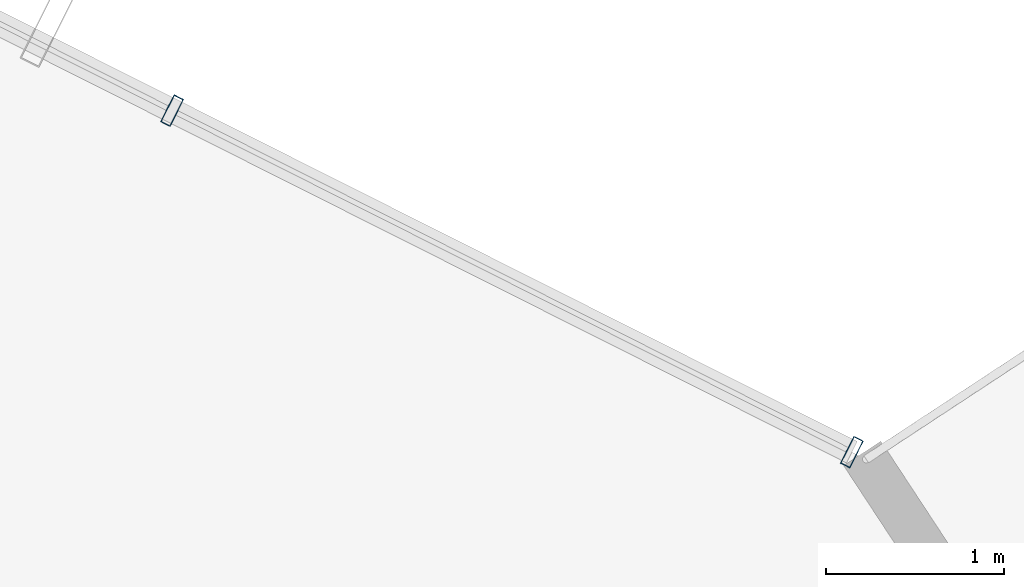
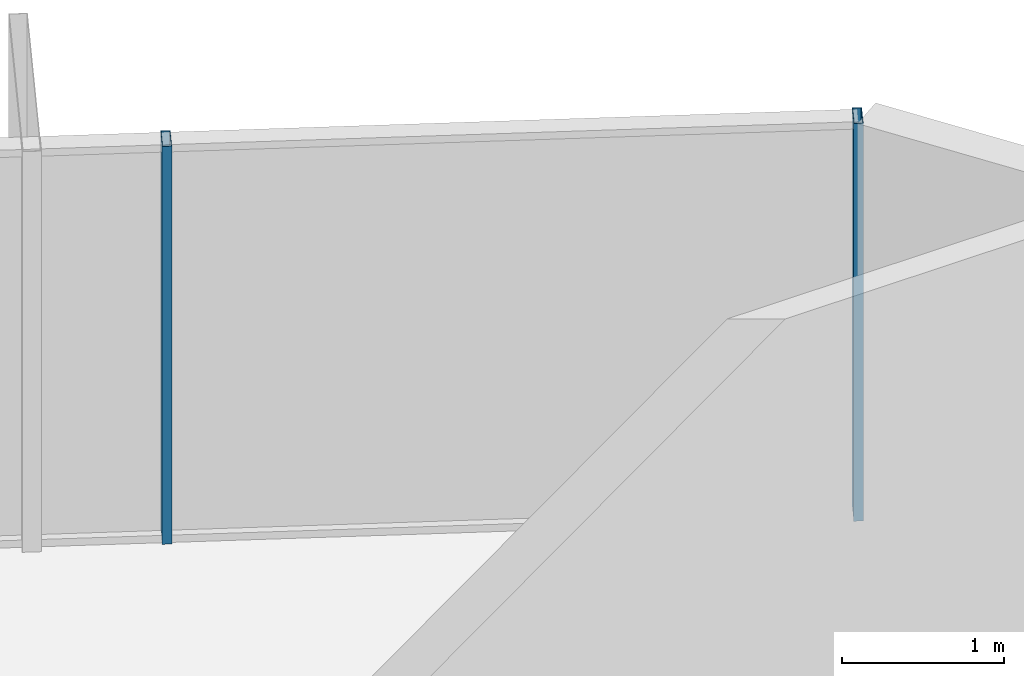
# One storey, part 26 of 33: 2 members, 1 element without a shape of its own.
"""IFC4 building model written with IfcOpenShell, lengths in metres."""

import ifcopenshell
import ifcopenshell.guid

model = None  # the IFC model being written
_history = None  # IfcOwnerHistory: only IFC2X3 demands one
_inside = {}  # id of a spatial element -> (the spatial element, [elements in it])
_under = {}  # id of a project, library or spatial element -> (it, [spatial elements below it])
_declared = {}  # id of a project -> (the project, [libraries it declares])
_typed = {}  # id of a type object -> (the type object, [elements of that type])
_made_of = {}  # id of a material, layer set ... -> (it, [elements and type objects made of it])


def new_model(schema):
    """Start an empty IFC model of exactly this schema.

    Asked for "IFC4X3", IfcOpenShell would pick the latest addendum, in which some entities
    have other attributes; the version numbers below select the first issue.
    IFC2X3 requires an IfcOwnerHistory on every rooted entity: one is made here for all.
    """
    global model, _history
    if schema == "IFC4X3":
        model = ifcopenshell.file(schema_version=(4, 3, 0, 0))
    else:
        model = ifcopenshell.file(schema=schema)
    _inside.clear()
    _under.clear()
    _declared.clear()
    _typed.clear()
    _made_of.clear()
    _history = None
    if model.schema == "IFC2X3":
        org = make("IfcOrganization", Name="unknown")
        user = make(
            "IfcPersonAndOrganization",
            ThePerson=make("IfcPerson", FamilyName="unknown"),
            TheOrganization=org,
        )
        app = make(
            "IfcApplication",
            ApplicationDeveloper=org,
            Version="unknown",
            ApplicationFullName="unknown",
            ApplicationIdentifier="unknown",
        )
        _history = make(
            "IfcOwnerHistory",
            OwningUser=user,
            OwningApplication=app,
            ChangeAction="ADDED",
            CreationDate=0,
        )
    return model


def make(cls, **values):
    """One entity of the class cls with the attributes given. An attribute that is None is left unset."""
    return model.create_entity(
        cls, **{name: value for name, value in values.items() if value is not None}
    )


def rooted(cls, **values):
    """An entity with a GlobalId (a new one), such as an element, a storey or a relation."""
    return make(cls, GlobalId=ifcopenshell.guid.new(), OwnerHistory=_history, **values)


def si_unit(unit_type, name, prefix=None):
    """IfcSIUnit, for example si_unit("LENGTHUNIT", "METRE", prefix="MILLI")."""
    return make("IfcSIUnit", UnitType=unit_type, Prefix=prefix, Name=name)


def assignment(units):
    """IfcUnitAssignment: the units of a project."""
    return None if units is None else make("IfcUnitAssignment", Units=units)


def point(xyz):
    """IfcCartesianPoint."""
    return None if xyz is None else make("IfcCartesianPoint", Coordinates=xyz)


def direction(xyz):
    """IfcDirection."""
    return None if xyz is None else make("IfcDirection", DirectionRatios=xyz)


def frame(location, z_axis=None, x_axis=None):
    """IfcAxis2Placement3D, a coordinate frame: its origin and axes. An axis left out is left unset."""
    return make(
        "IfcAxis2Placement3D",
        Location=point(location),
        Axis=direction(z_axis),
        RefDirection=direction(x_axis),
    )


def frame_2d(location, x_axis=None):
    """IfcAxis2Placement2D, a coordinate frame in the plane: its origin and x axis."""
    return make(
        "IfcAxis2Placement2D", Location=point(location), RefDirection=direction(x_axis)
    )


def origin():
    """The frame at (0, 0, 0) with its axes left unset."""
    return frame((0.0, 0.0, 0.0))


def origin_2d():
    """The frame at (0, 0) in the plane with its x axis left unset."""
    return frame_2d((0.0, 0.0))


def place(relative_to, where):
    """IfcLocalPlacement: puts the frame where relative to a parent placement (None: the world)."""
    return make(
        "IfcLocalPlacement", PlacementRelTo=relative_to, RelativePlacement=where
    )


def context(
    kind, dimensions, precision=None, world=None, true_north=None, identifier=None
):
    """IfcGeometricRepresentationContext, for example the 3D "Model" context."""
    return make(
        "IfcGeometricRepresentationContext",
        ContextIdentifier=identifier,
        ContextType=kind,
        CoordinateSpaceDimension=dimensions,
        Precision=precision,
        WorldCoordinateSystem=world,
        TrueNorth=true_north,
    )


def subcontext(parent, identifier, kind, view, scale=None):
    """IfcGeometricRepresentationSubContext, for example "Body" below "Model"."""
    return make(
        "IfcGeometricRepresentationSubContext",
        ContextIdentifier=identifier,
        ContextType=kind,
        ParentContext=parent,
        TargetScale=scale,
        TargetView=view,
    )


def project(units=None, contexts=None):
    """IfcProject with its units and contexts."""
    return rooted(
        "IfcProject",
        Name="project",
        RepresentationContexts=contexts,
        UnitsInContext=assignment(units),
    )


def spatial(cls, under=None, at=None, **own):
    """A site, building, storey or space (cls), placed at a placement, below another one or the project."""
    s = rooted(cls, ObjectPlacement=at, **own)
    if under is not None:
        _under.setdefault(under.id(), (under, []))[1].append(s)
    return s


def profile(cls, at=None, kind="AREA", **sizes):
    """A parametric profile (cls). Its sizes go by their IFC names, for example OverallWidth=200.0."""
    return make(cls, ProfileType=kind, Position=at, **sizes)


def hollow_rectangle(**sizes):
    """IfcRectangleHollowProfileDef."""
    return profile("IfcRectangleHollowProfileDef", **sizes)


def extrude(swept, where, along, depth):
    """IfcExtrudedAreaSolid: the profile swept, set in the frame where, extruded along a direction by depth."""
    return make(
        "IfcExtrudedAreaSolid",
        SweptArea=swept,
        Position=where,
        ExtrudedDirection=direction(along),
        Depth=depth,
    )


def shape(context_of_items, identifier, shape_type, items):
    """IfcShapeRepresentation: the items that make up one representation, for example the "Body"."""
    return make(
        "IfcShapeRepresentation",
        ContextOfItems=context_of_items,
        RepresentationIdentifier=identifier,
        RepresentationType=shape_type,
        Items=items,
    )


def source(mapping_origin, context_of_items, identifier, shape_type, items):
    """IfcRepresentationMap: a shape defined once, which mapped items show again and again."""
    return make(
        "IfcRepresentationMap",
        MappingOrigin=mapping_origin,
        MappedRepresentation=shape(context_of_items, identifier, shape_type, items),
    )


def transform(
    local_origin,
    x_axis=None,
    y_axis=None,
    z_axis=None,
    scale=None,
    scale2=None,
    scale3=None,
    uniform=True,
):
    """IfcCartesianTransformationOperator3D, or its non-uniform kind. x_axis, y_axis, z_axis: its Axis1, 2, 3."""
    if uniform:
        return make(
            "IfcCartesianTransformationOperator3D",
            Axis1=direction(x_axis),
            Axis2=direction(y_axis),
            LocalOrigin=point(local_origin),
            Scale=scale,
            Axis3=direction(z_axis),
        )
    return make(
        "IfcCartesianTransformationOperator3DnonUniform",
        Axis1=direction(x_axis),
        Axis2=direction(y_axis),
        LocalOrigin=point(local_origin),
        Scale=scale,
        Axis3=direction(z_axis),
        Scale2=scale2,
        Scale3=scale3,
    )


def mapped(mapping_source, mapping_target):
    """IfcMappedItem: shows the shape of a source again, moved by a transform."""
    return make(
        "IfcMappedItem", MappingSource=mapping_source, MappingTarget=mapping_target
    )


def material(Name=None, Category=None):
    """IfcMaterial."""
    return make("IfcMaterial", Name=Name, Category=Category)


def layer(
    of_material, thickness, ventilated=None, Name=None, Category=None, Priority=None
):
    """IfcMaterialLayer: one layer of a wall or slab, of a material (None: an air gap)."""
    return make(
        "IfcMaterialLayer",
        Material=of_material,
        LayerThickness=thickness,
        IsVentilated=ventilated,
        Name=Name,
        Category=Category,
        Priority=Priority,
    )


def layer_set(layers, Name=None):
    """IfcMaterialLayerSet."""
    return make("IfcMaterialLayerSet", MaterialLayers=layers, LayerSetName=Name)


def material_profile(
    of_material, cross_section, Name=None, Category=None, Priority=None
):
    """IfcMaterialProfile: a cross section and its material."""
    return make(
        "IfcMaterialProfile",
        Name=Name,
        Material=of_material,
        Profile=cross_section,
        Priority=Priority,
        Category=Category,
    )


def profile_set(profiles, Name=None, composite=None):
    """IfcMaterialProfileSet."""
    return make(
        "IfcMaterialProfileSet",
        Name=Name,
        MaterialProfiles=profiles,
        CompositeProfile=composite,
    )


def made_of(thing, what):
    """Note that an element or type object is made of a material, layer set ...; save() writes the relation."""
    if what is not None:
        _made_of.setdefault(what.id(), (what, []))[1].append(thing)
    return thing


def type_object(cls, material=None, **own):
    """A type object (cls), such as IfcWallType, which elements share."""
    return made_of(rooted(cls, **own), material)


def element(
    cls,
    number,
    at=None,
    inside=None,
    cuts=None,
    type_object=None,
    material=None,
    context=None,
    identifier="Body",
    shape_type=None,
    held_by="IfcProductDefinitionShape",
    body=None,
    shapes=None,
    **own,
):
    """One element of the class cls, such as IfcWall. Its Tag is "e" and its number.

    at: its placement. inside: the storey or other place that contains it. cuts: it is an
    opening in that element (IfcRelVoidsElement). A single representation is given by context,
    identifier, shape_type and body (its items); several are given by shapes. held_by: the class
    of the entity that holds the representations. save() writes the other relations.
    """
    e = rooted(cls, Tag="e%d" % number, ObjectPlacement=at, **own)
    if body is not None:
        shapes = [shape(context, identifier, shape_type, body)]
    if shapes is not None:
        e.Representation = make(held_by, Representations=shapes)
    if inside is not None:
        _inside.setdefault(inside.id(), (inside, []))[1].append(e)
    if cuts is not None:
        rooted(
            "IfcRelVoidsElement", RelatingBuildingElement=cuts, RelatedOpeningElement=e
        )
    if type_object is not None:
        _typed.setdefault(type_object.id(), (type_object, []))[1].append(e)
    return made_of(e, material)


def aggregate(whole, parts):
    """IfcRelAggregates: a whole, such as a stair, and the parts it consists of."""
    return rooted("IfcRelAggregates", RelatingObject=whole, RelatedObjects=parts)


def save(model, path):
    """Write the relations noted so far, then the file.

    IfcRelAggregates (storeys below a building ...), IfcRelContainedInSpatialStructure (elements
    in a storey), IfcRelDefinesByType, IfcRelAssociatesMaterial and IfcRelDeclares: one each for
    every whole, place, type object, material and project.
    """
    for whole, parts in _under.values():
        aggregate(whole, parts)
    for where, things in _inside.values():
        rooted(
            "IfcRelContainedInSpatialStructure",
            RelatedElements=things,
            RelatingStructure=where,
        )
    for kind, things in _typed.values():
        rooted("IfcRelDefinesByType", RelatedObjects=things, RelatingType=kind)
    for what, things in _made_of.values():
        rooted("IfcRelAssociatesMaterial", RelatedObjects=things, RelatingMaterial=what)
    for by, libraries in _declared.values():
        rooted("IfcRelDeclares", RelatingContext=by, RelatedDefinitions=libraries)
    model.write(path)


model = new_model("IFC4")

# Units and contexts
model_context = context("Model", 3, precision=1e-05, world=origin(), true_north=direction((0.0, 1.0)))
body_context = subcontext(model_context, "Body", "Model", "MODEL_VIEW")
ifc_project = project(units=[si_unit("LENGTHUNIT", "METRE"), si_unit("AREAUNIT", "SQUARE_METRE"), si_unit("VOLUMEUNIT", "CUBIC_METRE"), si_unit("PLANEANGLEUNIT", "RADIAN"), si_unit("MASSUNIT", "GRAM", prefix="KILO")], contexts=[model_context])

# Site, building, storey
site_placement = place(None, origin())
site = spatial("IfcSite", under=ifc_project, at=site_placement, CompositionType="ELEMENT")
building_placement = place(site_placement, origin())
building = spatial("IfcBuilding", under=site, at=building_placement, Name="Veraguas Prism Commons", CompositionType="ELEMENT")
storey_placement = place(building_placement, frame((0.0, 0.0, 139.25)))
storey = spatial("IfcBuildingStorey", under=building, at=storey_placement, Name="L39", CompositionType="ELEMENT", Elevation=139.25)

# Curtain wall, members
ifc_material = material(Name="Anodised aluminium EN AW-6063 T6", Category="aluminium")
ifc_layer = layer(ifc_material, 0.169921875, Name="Unitised Flush Curtain Wall Zone 2", Category="aluminium")
ifc_layer_set = layer_set([ifc_layer], Name="Anodised aluminium EN AW-6063 T6")
curtain_wall_type = type_object("IfcCurtainWallType", Name="Unitised Flush Curtain Wall Zone 2", PredefinedType="NOTDEFINED", material=ifc_layer_set)
curtain_wall_placement = place(storey_placement, origin())
curtain_wall = element("IfcCurtainWall", 1, at=curtain_wall_placement, inside=storey, type_object=curtain_wall_type, Name="Tower Facade Curtain Wall L39-F1", PredefinedType="NOTDEFINED")
ifc_material_profile = material_profile(ifc_material, hollow_rectangle(XDim=0.06005859375, YDim=0.169921875, WallThickness=0.00390625, at=origin_2d()), Name="AL60X170X4")
ifc_profile_set = profile_set([ifc_material_profile], Name="Anodised aluminium EN AW-6063 T6")
member_type = type_object("IfcMemberType", Name="Curtain Wall Mullion Lower AL 60x170x4", PredefinedType="MULLION", material=ifc_profile_set)
shared_shape = source(origin(), body_context, "Body", "SweptSolid", [
    extrude(hollow_rectangle(XDim=0.06005859375, YDim=0.169921875, WallThickness=0.00390625, at=origin_2d()), origin(), (0.0, 0.0, 1.0), 3.0),
])
member_1_placement = place(storey_placement, frame((40.285888671875, 37.2841796875, 0.0), z_axis=(0.0, 0.0, 1.0), x_axis=(-0.893525824808, 0.449011804301, 0.0)))
member_1 = element("IfcMember", 2, at=member_1_placement, type_object=member_type, Name="CW-Z2 Mullion 1", PredefinedType="MULLION", context=body_context, shape_type="MappedRepresentation", body=[
    mapped(shared_shape, transform((0.0, 0.0, 0.0), scale=1.0)),
])
member_2_placement = place(storey_placement, frame((36.462890625, 39.205322265625, 0.0), z_axis=(0.0, 0.0, 1.0), x_axis=(-0.893525824808, 0.449011804301, 0.0)))
member_2 = element("IfcMember", 3, at=member_2_placement, type_object=member_type, Name="CW-Z2 Mullion 2", PredefinedType="MULLION", context=body_context, shape_type="MappedRepresentation", body=[
    mapped(shared_shape, transform((0.0, 0.0, 0.0), scale=1.0)),
])
aggregate(curtain_wall, [member_1, member_2])

save(model, "model.ifc")
